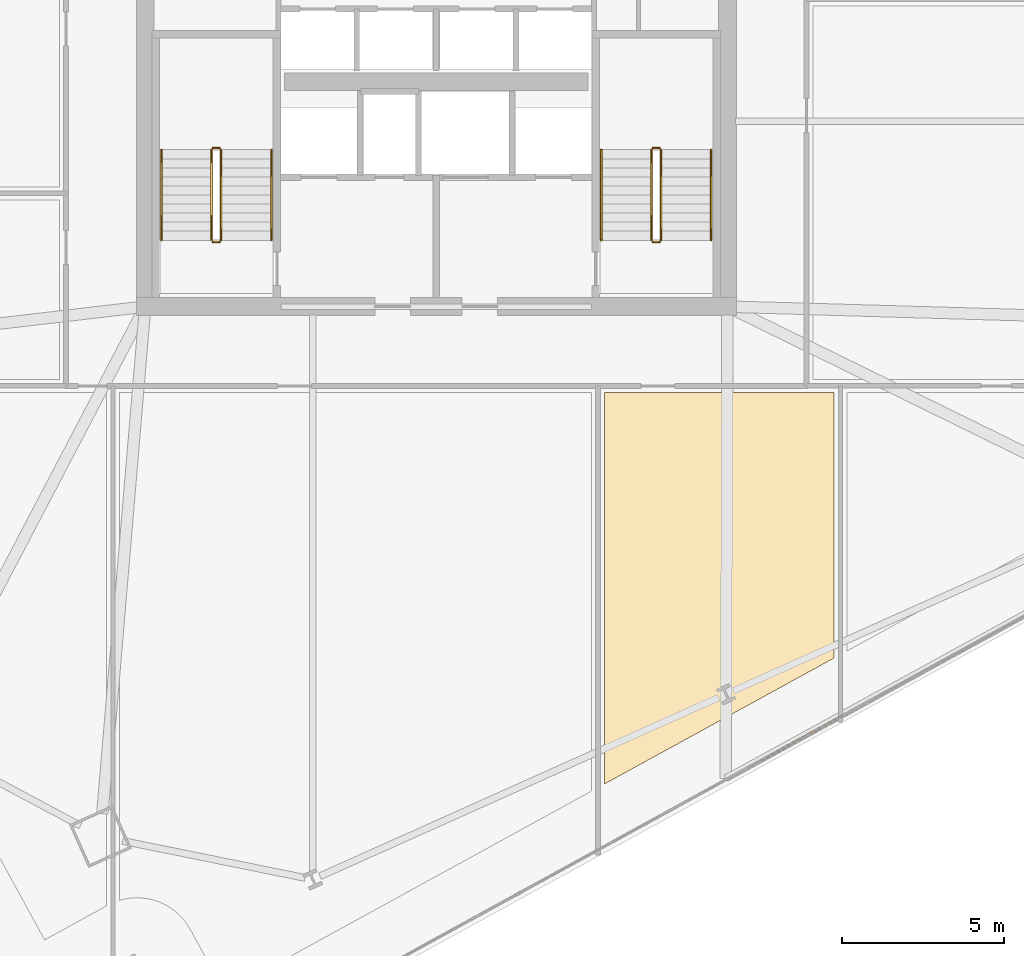
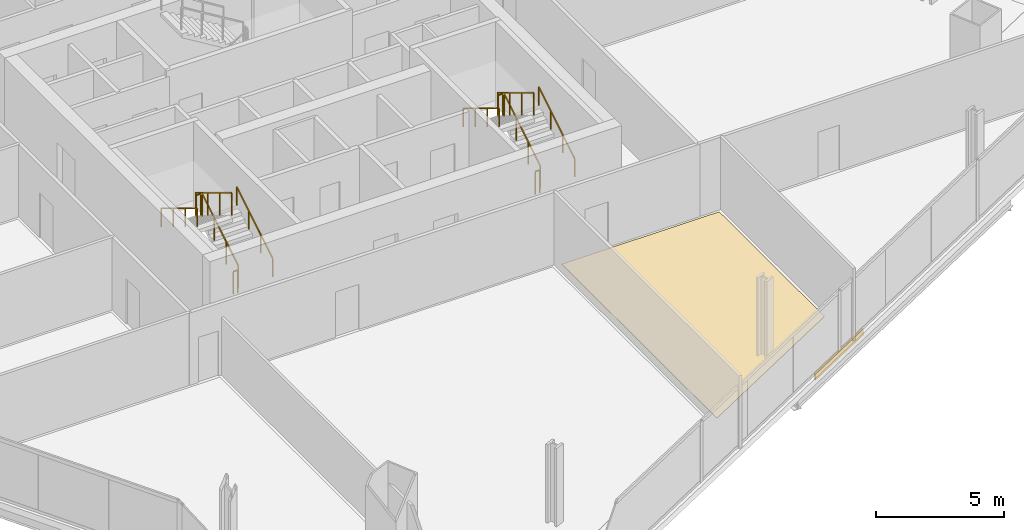
# One storey, part 29 of 33: 12 railings, 2 coverings.
"""IFC4 building model written with IfcOpenShell, lengths in metres."""

from ifc_helpers import new_model, si_unit, direction, frame, origin, origin_2d, place, context, subcontext, project, spatial, polyline, rectangle, outline, extrude, source, transform, mapped, material, layer, layer_set, type_object, element, save


model = new_model("IFC4")

# Units and contexts
model_context = context("Model", 3, precision=1e-05, world=origin(), true_north=direction((0.0, 1.0)))
body_context = subcontext(model_context, "Body", "Model", "MODEL_VIEW")
ifc_project = project(units=[si_unit("LENGTHUNIT", "METRE"), si_unit("AREAUNIT", "SQUARE_METRE"), si_unit("VOLUMEUNIT", "CUBIC_METRE"), si_unit("PLANEANGLEUNIT", "RADIAN"), si_unit("MASSUNIT", "GRAM", prefix="KILO")], contexts=[model_context])

# Site, building, storey
site_placement = place(None, origin())
site = spatial("IfcSite", under=ifc_project, at=site_placement, CompositionType="ELEMENT")
building_placement = place(site_placement, origin())
building = spatial("IfcBuilding", under=site, at=building_placement, Name="Haldenkirk Collegiate Tower", CompositionType="ELEMENT")
storey_placement = place(building_placement, frame((0.0, 0.0, 124.199951171875)))
storey = spatial("IfcBuildingStorey", under=building, at=storey_placement, Name="L30", CompositionType="ELEMENT", Elevation=124.199951171875)

# Covering
ifc_material_1 = material(Name="Engineered collegiate oak acoustic flooring", Category="wood")
ifc_layer_1 = layer(ifc_material_1, 0.02197265625)
ifc_layer_set_1 = layer_set([ifc_layer_1], Name="Engineered collegiate oak acoustic flooring")
covering_type_1 = type_object("IfcCoveringType", Name="COV-FLOOR-TIMBER", PredefinedType="FLOORING", material=ifc_layer_set_1)
covering_1_placement = place(storey_placement, origin())
element("IfcCovering", 1, at=covering_1_placement, inside=storey, type_object=covering_type_1, Name="L30 academic room finish 03", PredefinedType="FLOORING", context=body_context, shape_type="SweptSolid", body=[
    extrude(outline(polyline([(41.199951171875, 3.240478515625), (41.199951171875, 15.35009765625), (48.300048828125, 15.35009765625), (48.300048828125, 7.135498046875), (41.199951171875, 3.240478515625)])), origin(), (0.0, 0.0, 1.0), 0.02197265625),
])

# Railings
ifc_material_2 = material(Name="Painted architectural tubular steel", Category="steel")
railing_type_1 = type_object("IfcRailingType", Name="RLG-STAIR-GUARD-1100", PredefinedType="BALUSTRADE", material=ifc_material_2)
railing_1_placement = place(storey_placement, frame((29.35009765625, 20.050048828125, 0.17041015625)))
element("IfcRailing", 2, at=railing_1_placement, inside=storey, type_object=railing_type_1, Name="L30 ST-1 stair guard 1", PredefinedType="BALUSTRADE", context=body_context, shape_type="SweptSolid", body=[
    extrude(rectangle(XDim=0.048095703125, YDim=0.048095703125, at=origin_2d()), frame((0.0, 0.0, 1.076171875), z_axis=(0.0, 0.854169791009, 0.51999420009), x_axis=(-1.0, 0.0, 0.0)), (0.0, 0.0, 1.0), 3.278076171875),
    extrude(rectangle(XDim=0.0419921875, YDim=0.0419921875, at=origin_2d()), origin(), (0.0, 0.0, 1.0), 1.052001953125),
    extrude(rectangle(XDim=0.0419921875, YDim=0.0419921875, at=origin_2d()), frame((0.0, 0.933349609375, 0.568115234375)), (0.0, 0.0, 1.0), 1.052001953125),
    extrude(rectangle(XDim=0.0419921875, YDim=0.0419921875, at=origin_2d()), frame((0.0, 1.86669921875, 1.136474609375)), (0.0, 0.0, 1.0), 1.052001953125),
    extrude(rectangle(XDim=0.0419921875, YDim=0.0419921875, at=origin_2d()), frame((0.0, 2.800048828125, 1.70458984375)), (0.0, 0.0, 1.0), 1.052001953125),
])
railing_2_placement = place(storey_placement, frame((29.300048828125, 22.89990234375, 1.875)))
element("IfcRailing", 3, at=railing_2_placement, inside=storey, type_object=railing_type_1, Name="L30 ST-1 stair guard 2", PredefinedType="BALUSTRADE", context=body_context, shape_type="SweptSolid", body=[
    extrude(rectangle(XDim=0.048095703125, YDim=0.048095703125, at=origin_2d()), frame((0.0, 0.0, 1.076171875), z_axis=(-1.0, 0.0, 0.0), x_axis=(0.0, -1.0, 0.0)), (0.0, 0.0, 1.0), 0.199951171875),
    extrude(rectangle(XDim=0.0419921875, YDim=0.0419921875, at=origin_2d()), origin(), (0.0, 0.0, 1.0), 1.052001953125),
    extrude(rectangle(XDim=0.0419921875, YDim=0.0419921875, at=origin_2d()), frame((-0.199951171875, 0.0, 0.0)), (0.0, 0.0, 1.0), 1.052001953125),
])
railing_3_placement = place(storey_placement, frame((29.050048828125, 22.85009765625, 2.04541015625)))
element("IfcRailing", 4, at=railing_3_placement, inside=storey, type_object=railing_type_1, Name="L30 ST-1 stair guard 3", PredefinedType="BALUSTRADE", context=body_context, shape_type="SweptSolid", body=[
    extrude(rectangle(XDim=0.048095703125, YDim=0.048095703125, at=origin_2d()), frame((0.0, 0.0, 1.076171875), z_axis=(0.0, -0.854169791009, 0.51999420009), x_axis=(1.0, 0.0, 0.0)), (0.0, 0.0, 1.0), 3.278076171875),
    extrude(rectangle(XDim=0.0419921875, YDim=0.0419921875, at=origin_2d()), origin(), (0.0, 0.0, 1.0), 1.052001953125),
    extrude(rectangle(XDim=0.0419921875, YDim=0.0419921875, at=origin_2d()), frame((0.0, -0.933349609375, 0.568115234375)), (0.0, 0.0, 1.0), 1.052001953125),
    extrude(rectangle(XDim=0.0419921875, YDim=0.0419921875, at=origin_2d()), frame((0.0, -1.86669921875, 1.136474609375)), (0.0, 0.0, 1.0), 1.052001953125),
    extrude(rectangle(XDim=0.0419921875, YDim=0.0419921875, at=origin_2d()), frame((0.0, -2.800048828125, 1.70458984375)), (0.0, 0.0, 1.0), 1.052001953125),
])
railing_4_placement = place(storey_placement, frame((29.300048828125, 20.0, 0.0)))
element("IfcRailing", 5, at=railing_4_placement, inside=storey, type_object=railing_type_1, Name="L30 ST-1 stair guard 4", PredefinedType="BALUSTRADE", context=body_context, shape_type="SweptSolid", body=[
    extrude(rectangle(XDim=0.048095703125, YDim=0.048095703125, at=origin_2d()), frame((0.0, 0.0, 1.076171875), z_axis=(-1.0, 0.0, 0.0), x_axis=(0.0, -1.0, 0.0)), (0.0, 0.0, 1.0), 0.199951171875),
    extrude(rectangle(XDim=0.0419921875, YDim=0.0419921875, at=origin_2d()), origin(), (0.0, 0.0, 1.0), 1.052001953125),
    extrude(rectangle(XDim=0.0419921875, YDim=0.0419921875, at=origin_2d()), frame((-0.199951171875, 0.0, 0.0)), (0.0, 0.0, 1.0), 1.052001953125),
])
railing_5_placement = place(storey_placement, frame((42.949951171875, 20.050048828125, 0.17041015625)))
element("IfcRailing", 6, at=railing_5_placement, inside=storey, type_object=railing_type_1, Name="L30 ST-2 stair guard 1", PredefinedType="BALUSTRADE", context=body_context, shape_type="SweptSolid", body=[
    extrude(rectangle(XDim=0.048095703125, YDim=0.048095703125, at=origin_2d()), frame((0.0, 0.0, 1.076171875), z_axis=(0.0, 0.854169791009, 0.51999420009), x_axis=(-1.0, 0.0, 0.0)), (0.0, 0.0, 1.0), 3.278076171875),
    extrude(rectangle(XDim=0.0419921875, YDim=0.0419921875, at=origin_2d()), origin(), (0.0, 0.0, 1.0), 1.052001953125),
    extrude(rectangle(XDim=0.0419921875, YDim=0.0419921875, at=origin_2d()), frame((0.0, 0.933349609375, 0.568115234375)), (0.0, 0.0, 1.0), 1.052001953125),
    extrude(rectangle(XDim=0.0419921875, YDim=0.0419921875, at=origin_2d()), frame((0.0, 1.86669921875, 1.136474609375)), (0.0, 0.0, 1.0), 1.052001953125),
    extrude(rectangle(XDim=0.0419921875, YDim=0.0419921875, at=origin_2d()), frame((0.0, 2.800048828125, 1.70458984375)), (0.0, 0.0, 1.0), 1.052001953125),
])
railing_6_placement = place(storey_placement, frame((42.89990234375, 22.89990234375, 1.875)))
element("IfcRailing", 7, at=railing_6_placement, inside=storey, type_object=railing_type_1, Name="L30 ST-2 stair guard 2", PredefinedType="BALUSTRADE", context=body_context, shape_type="SweptSolid", body=[
    extrude(rectangle(XDim=0.048095703125, YDim=0.048095703125, at=origin_2d()), frame((0.0, 0.0, 1.076171875), z_axis=(-1.0, 0.0, 0.0), x_axis=(0.0, -1.0, 0.0)), (0.0, 0.0, 1.0), 0.199951171875),
    extrude(rectangle(XDim=0.0419921875, YDim=0.0419921875, at=origin_2d()), origin(), (0.0, 0.0, 1.0), 1.052001953125),
    extrude(rectangle(XDim=0.0419921875, YDim=0.0419921875, at=origin_2d()), frame((-0.199951171875, 0.0, 0.0)), (0.0, 0.0, 1.0), 1.052001953125),
])
railing_7_placement = place(storey_placement, frame((42.64990234375, 22.85009765625, 2.04541015625)))
element("IfcRailing", 8, at=railing_7_placement, inside=storey, type_object=railing_type_1, Name="L30 ST-2 stair guard 3", PredefinedType="BALUSTRADE", context=body_context, shape_type="SweptSolid", body=[
    extrude(rectangle(XDim=0.048095703125, YDim=0.048095703125, at=origin_2d()), frame((0.0, 0.0, 1.076171875), z_axis=(0.0, -0.854169791009, 0.51999420009), x_axis=(1.0, 0.0, 0.0)), (0.0, 0.0, 1.0), 3.278076171875),
    extrude(rectangle(XDim=0.0419921875, YDim=0.0419921875, at=origin_2d()), origin(), (0.0, 0.0, 1.0), 1.052001953125),
    extrude(rectangle(XDim=0.0419921875, YDim=0.0419921875, at=origin_2d()), frame((0.0, -0.933349609375, 0.568115234375)), (0.0, 0.0, 1.0), 1.052001953125),
    extrude(rectangle(XDim=0.0419921875, YDim=0.0419921875, at=origin_2d()), frame((0.0, -1.86669921875, 1.136474609375)), (0.0, 0.0, 1.0), 1.052001953125),
    extrude(rectangle(XDim=0.0419921875, YDim=0.0419921875, at=origin_2d()), frame((0.0, -2.800048828125, 1.70458984375)), (0.0, 0.0, 1.0), 1.052001953125),
])
railing_8_placement = place(storey_placement, frame((42.89990234375, 20.0, 0.0)))
element("IfcRailing", 9, at=railing_8_placement, inside=storey, type_object=railing_type_1, Name="L30 ST-2 stair guard 4", PredefinedType="BALUSTRADE", context=body_context, shape_type="SweptSolid", body=[
    extrude(rectangle(XDim=0.048095703125, YDim=0.048095703125, at=origin_2d()), frame((0.0, 0.0, 1.076171875), z_axis=(-1.0, 0.0, 0.0), x_axis=(0.0, -1.0, 0.0)), (0.0, 0.0, 1.0), 0.199951171875),
    extrude(rectangle(XDim=0.0419921875, YDim=0.0419921875, at=origin_2d()), origin(), (0.0, 0.0, 1.0), 1.052001953125),
    extrude(rectangle(XDim=0.0419921875, YDim=0.0419921875, at=origin_2d()), frame((-0.199951171875, 0.0, 0.0)), (0.0, 0.0, 1.0), 1.052001953125),
])
railing_type_2 = type_object("IfcRailingType", Name="RLG-STAIR-HANDRAIL-900", PredefinedType="HANDRAIL", material=ifc_material_2)
railing_9_placement = place(storey_placement, frame((30.89990234375, 20.050048828125, 0.17041015625)))
element("IfcRailing", 10, at=railing_9_placement, inside=storey, type_object=railing_type_2, Name="L30 ST-1 stair handrail 1", PredefinedType="HANDRAIL", context=body_context, shape_type="SweptSolid", body=[
    extrude(rectangle(XDim=0.048095703125, YDim=0.048095703125, at=origin_2d()), frame((0.0, 0.0, 0.8759765625), z_axis=(0.0, 0.854169791009, 0.51999420009), x_axis=(-1.0, 0.0, 0.0)), (0.0, 0.0, 1.0), 3.278076171875),
    extrude(rectangle(XDim=0.0419921875, YDim=0.0419921875, at=origin_2d()), origin(), (0.0, 0.0, 1.0), 0.851806640625),
    extrude(rectangle(XDim=0.0419921875, YDim=0.0419921875, at=origin_2d()), frame((0.0, 0.933349609375, 0.568115234375)), (0.0, 0.0, 1.0), 0.851806640625),
    extrude(rectangle(XDim=0.0419921875, YDim=0.0419921875, at=origin_2d()), frame((0.0, 1.86669921875, 1.136474609375)), (0.0, 0.0, 1.0), 0.851806640625),
    extrude(rectangle(XDim=0.0419921875, YDim=0.0419921875, at=origin_2d()), frame((0.0, 2.800048828125, 1.70458984375)), (0.0, 0.0, 1.0), 0.851806640625),
])
railing_10_placement = place(storey_placement, frame((27.5, 22.85009765625, 2.04541015625)))
element("IfcRailing", 11, at=railing_10_placement, inside=storey, type_object=railing_type_2, Name="L30 ST-1 stair handrail 2", PredefinedType="HANDRAIL", context=body_context, shape_type="SweptSolid", body=[
    extrude(rectangle(XDim=0.048095703125, YDim=0.048095703125, at=origin_2d()), frame((0.0, 0.0, 0.8759765625), z_axis=(0.0, -0.854169791009, 0.51999420009), x_axis=(1.0, 0.0, 0.0)), (0.0, 0.0, 1.0), 3.278076171875),
    extrude(rectangle(XDim=0.0419921875, YDim=0.0419921875, at=origin_2d()), origin(), (0.0, 0.0, 1.0), 0.851806640625),
    extrude(rectangle(XDim=0.0419921875, YDim=0.0419921875, at=origin_2d()), frame((0.0, -0.933349609375, 0.568115234375)), (0.0, 0.0, 1.0), 0.851806640625),
    extrude(rectangle(XDim=0.0419921875, YDim=0.0419921875, at=origin_2d()), frame((0.0, -1.86669921875, 1.136474609375)), (0.0, 0.0, 1.0), 0.851806640625),
    extrude(rectangle(XDim=0.0419921875, YDim=0.0419921875, at=origin_2d()), frame((0.0, -2.800048828125, 1.70458984375)), (0.0, 0.0, 1.0), 0.851806640625),
])
railing_11_placement = place(storey_placement, frame((44.5, 20.050048828125, 0.17041015625)))
element("IfcRailing", 12, at=railing_11_placement, inside=storey, type_object=railing_type_2, Name="L30 ST-2 stair handrail 1", PredefinedType="HANDRAIL", context=body_context, shape_type="SweptSolid", body=[
    extrude(rectangle(XDim=0.048095703125, YDim=0.048095703125, at=origin_2d()), frame((0.0, 0.0, 0.8759765625), z_axis=(0.0, 0.854169791009, 0.51999420009), x_axis=(-1.0, 0.0, 0.0)), (0.0, 0.0, 1.0), 3.278076171875),
    extrude(rectangle(XDim=0.0419921875, YDim=0.0419921875, at=origin_2d()), origin(), (0.0, 0.0, 1.0), 0.851806640625),
    extrude(rectangle(XDim=0.0419921875, YDim=0.0419921875, at=origin_2d()), frame((0.0, 0.933349609375, 0.568115234375)), (0.0, 0.0, 1.0), 0.851806640625),
    extrude(rectangle(XDim=0.0419921875, YDim=0.0419921875, at=origin_2d()), frame((0.0, 1.86669921875, 1.136474609375)), (0.0, 0.0, 1.0), 0.851806640625),
    extrude(rectangle(XDim=0.0419921875, YDim=0.0419921875, at=origin_2d()), frame((0.0, 2.800048828125, 1.70458984375)), (0.0, 0.0, 1.0), 0.851806640625),
])
railing_12_placement = place(storey_placement, frame((41.10009765625, 22.85009765625, 2.04541015625)))
element("IfcRailing", 13, at=railing_12_placement, inside=storey, type_object=railing_type_2, Name="L30 ST-2 stair handrail 2", PredefinedType="HANDRAIL", context=body_context, shape_type="SweptSolid", body=[
    extrude(rectangle(XDim=0.048095703125, YDim=0.048095703125, at=origin_2d()), frame((0.0, 0.0, 0.8759765625), z_axis=(0.0, -0.854169791009, 0.51999420009), x_axis=(1.0, 0.0, 0.0)), (0.0, 0.0, 1.0), 3.278076171875),
    extrude(rectangle(XDim=0.0419921875, YDim=0.0419921875, at=origin_2d()), origin(), (0.0, 0.0, 1.0), 0.851806640625),
    extrude(rectangle(XDim=0.0419921875, YDim=0.0419921875, at=origin_2d()), frame((0.0, -0.933349609375, 0.568115234375)), (0.0, 0.0, 1.0), 0.851806640625),
    extrude(rectangle(XDim=0.0419921875, YDim=0.0419921875, at=origin_2d()), frame((0.0, -1.86669921875, 1.136474609375)), (0.0, 0.0, 1.0), 0.851806640625),
    extrude(rectangle(XDim=0.0419921875, YDim=0.0419921875, at=origin_2d()), frame((0.0, -2.800048828125, 1.70458984375)), (0.0, 0.0, 1.0), 0.851806640625),
])

# Covering
ifc_material_3 = material(Name="Anodised architectural bronze aluminium", Category="aluminium")
ifc_layer_2 = layer(ifc_material_3, 0.06005859375)
ifc_layer_set_2 = layer_set([ifc_layer_2], Name="Anodised architectural bronze aluminium")
covering_type_2 = type_object("IfcCoveringType", Name="COV-CLAD-BRONZE-60", PredefinedType="CLADDING", material=ifc_layer_set_2)
shared_shape = source(origin(), body_context, "Body", "SweptSolid", [
    extrude(rectangle(XDim=3.60009765625, YDim=0.06005859375, at=origin_2d()), origin(), (0.0, 0.0, 1.0), 0.300048828125),
])
covering_2_placement = place(storey_placement, frame((47.613525390625, 4.831298828125, -0.2998046875), z_axis=(0.0, 0.0, 1.0), x_axis=(-0.876726755708, -0.480988768919, 0.0)))
element("IfcCovering", 14, at=covering_2_placement, inside=storey, type_object=covering_type_2, Name="L30 architectural bronze spandrel cladding S", PredefinedType="CLADDING", context=body_context, shape_type="MappedRepresentation", body=[
    mapped(shared_shape, transform((0.0, 0.0, 0.0), x_axis=(1.0, 0.0, 0.0), y_axis=(0.0, 1.0, 0.0), z_axis=(0.0, 0.0, 1.0), scale=1.0)),
])

save(model, "model.ifc")
